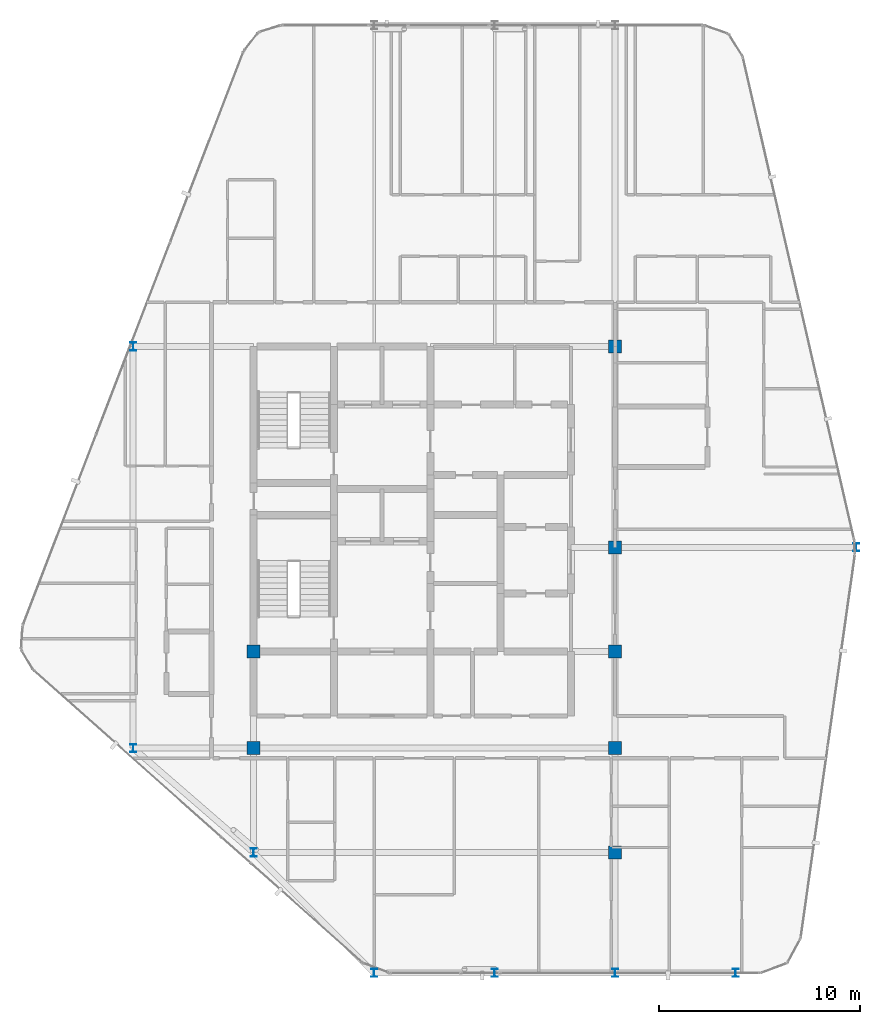
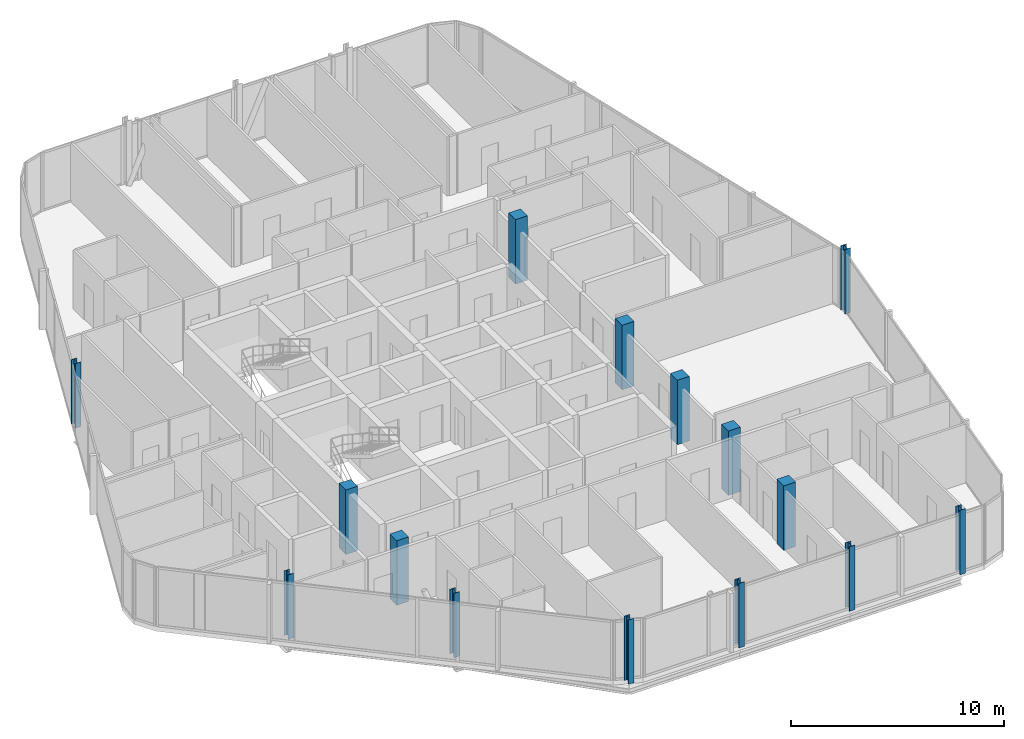
# One storey, part 1 of 28: 15 columns.
"""IFC4 building model written with IfcOpenShell, lengths in metres."""

from ifc_helpers import new_model, si_unit, direction, frame, origin, origin_2d, place, context, subcontext, project, spatial, rectangle, i_section, extrude, material, material_profile, profile_set, type_object, element, save


model = new_model("IFC4")

# Units and contexts
model_context = context("Model", 3, precision=1e-05, world=origin(), true_north=direction((0.0, 1.0)))
body_context = subcontext(model_context, "Body", "Model", "MODEL_VIEW")
ifc_project = project(units=[si_unit("LENGTHUNIT", "METRE"), si_unit("AREAUNIT", "SQUARE_METRE"), si_unit("VOLUMEUNIT", "CUBIC_METRE"), si_unit("PLANEANGLEUNIT", "RADIAN"), si_unit("MASSUNIT", "GRAM", prefix="KILO")], contexts=[model_context])

# Site, building, storey
site_placement = place(None, origin())
site = spatial("IfcSite", under=ifc_project, at=site_placement, CompositionType="ELEMENT")
building_placement = place(site_placement, origin())
building = spatial("IfcBuilding", under=site, at=building_placement, Name="Keshet Zoharim Tower", CompositionType="ELEMENT")
storey_placement = place(building_placement, frame((0.0, 0.0, 303.60009765625)))
storey = spatial("IfcBuildingStorey", under=building, at=storey_placement, Name="L76", CompositionType="ELEMENT", Elevation=303.60009765625)

# Columns
ifc_material_1 = material(Name="Steel S355", Category="steel")
ifc_material_profile_1 = material_profile(ifc_material_1, i_section(OverallWidth=0.300048828125, OverallDepth=0.39990234375, WebThickness=0.013427734375, FlangeThickness=0.02392578125, FilletRadius=0.027099609375, at=origin_2d()), Name="HEB400")
ifc_profile_set_1 = profile_set([ifc_material_profile_1], Name="Steel S355")
column_type_1 = type_object("IfcColumnType", Name="COL-HEB400", PredefinedType="COLUMN", material=ifc_profile_set_1)
for number, where, z_axis, x_axis, name in (
    (1, (9.0, 17.89990234375, 0.0), (0.0, 0.0, 1.0), (1.0, 0.0, 0.0), "L76 Column 2D"),
    (2, (9.0, 37.89990234375, 0.0), (0.0, 0.0, 1.0), (1.0, 0.0, 0.0), "L76 Column 2H"),
    (3, (15.0, 12.699951171875, 0.0), (0.0, 0.0, 1.0), (1.0, 0.0, 0.0), "L76 Column 3C"),
    (4, (21.0, 6.699951171875, 0.0), (0.0, 0.0, 1.0), (1.0, 0.0, 0.0), "L76 Column 4B"),
    (5, (27.0, 6.699951171875, 0.0), (0.0, 0.0, 1.0), (1.0, 0.0, 0.0), "L76 Column 5B"),
    (6, (33.0, 6.699951171875, 0.0), (0.0, 0.0, 1.0), (1.0, 0.0, 0.0), "L76 Column 6B"),
    (7, (39.0, 6.699951171875, 0.0), (0.0, 0.0, 1.0), (1.0, 0.0, 0.0), "L76 Column 7B"),
    (8, (45.0, 27.89990234375, 0.0), (0.0, 0.0, 1.0), (1.0, 0.0, 0.0), "L76 Column 8F"),
):
    element("IfcColumn", number, at=place(storey_placement, frame(where, z_axis=z_axis, x_axis=x_axis)), inside=storey, type_object=column_type_1, Name=name, PredefinedType="COLUMN", context=body_context, shape_type="SweptSolid", body=[
        extrude(i_section(OverallWidth=0.300048828125, OverallDepth=0.39990234375, WebThickness=0.013427734375, FlangeThickness=0.02392578125, FilletRadius=0.027099609375, at=origin_2d()), origin(), (0.0, 0.0, 1.0), 3.699951171875),
    ])
ifc_material_2 = material(Name="Concrete C50/60", Category="concrete")
ifc_material_profile_2 = material_profile(ifc_material_2, rectangle(XDim=0.64990234375, YDim=0.64990234375, at=origin_2d()), Name="RC650x650")
ifc_profile_set_2 = profile_set([ifc_material_profile_2], Name="Concrete C50/60")
column_type_2 = type_object("IfcColumnType", Name="COL-RC650", PredefinedType="COLUMN", material=ifc_profile_set_2)
for number, where, z_axis, x_axis, name in (
    (9, (15.0, 17.89990234375, 0.0), (0.0, 0.0, 1.0), (1.0, 0.0, 0.0), "L76 Column 3D"),
    (10, (15.0, 22.699951171875, 0.0), (0.0, 0.0, 1.0), (1.0, 0.0, 0.0), "L76 Column 3E"),
    (11, (33.0, 12.699951171875, 0.0), (0.0, 0.0, 1.0), (1.0, 0.0, 0.0), "L76 Column 6C"),
    (12, (33.0, 17.89990234375, 0.0), (0.0, 0.0, 1.0), (1.0, 0.0, 0.0), "L76 Column 6D"),
    (13, (33.0, 22.699951171875, 0.0), (0.0, 0.0, 1.0), (1.0, 0.0, 0.0), "L76 Column 6E"),
    (14, (33.0, 27.89990234375, 0.0), (0.0, 0.0, 1.0), (1.0, 0.0, 0.0), "L76 Column 6F"),
    (15, (33.0, 37.89990234375, 0.0), (0.0, 0.0, 1.0), (1.0, 0.0, 0.0), "L76 Column 6H"),
):
    element("IfcColumn", number, at=place(storey_placement, frame(where, z_axis=z_axis, x_axis=x_axis)), inside=storey, type_object=column_type_2, Name=name, PredefinedType="COLUMN", context=body_context, shape_type="SweptSolid", body=[
        extrude(rectangle(XDim=0.64990234375, YDim=0.64990234375, at=origin_2d()), origin(), (0.0, 0.0, 1.0), 3.699951171875),
    ])

save(model, "model.ifc")
